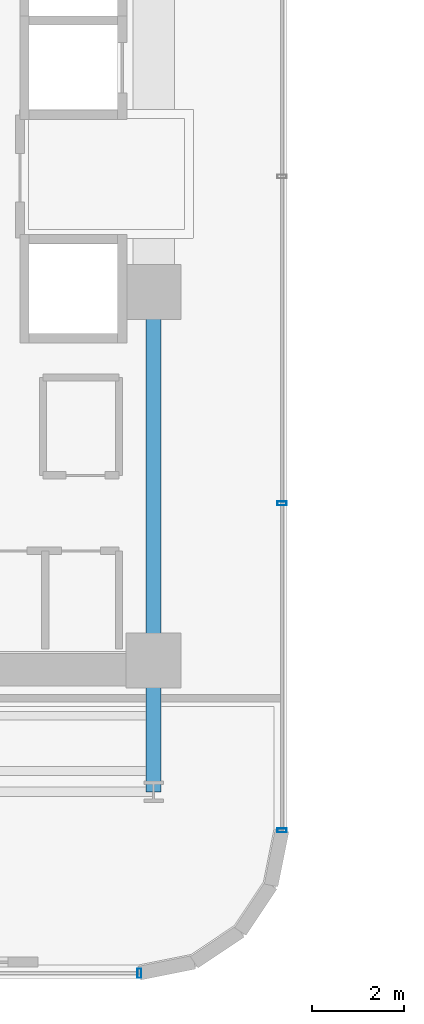
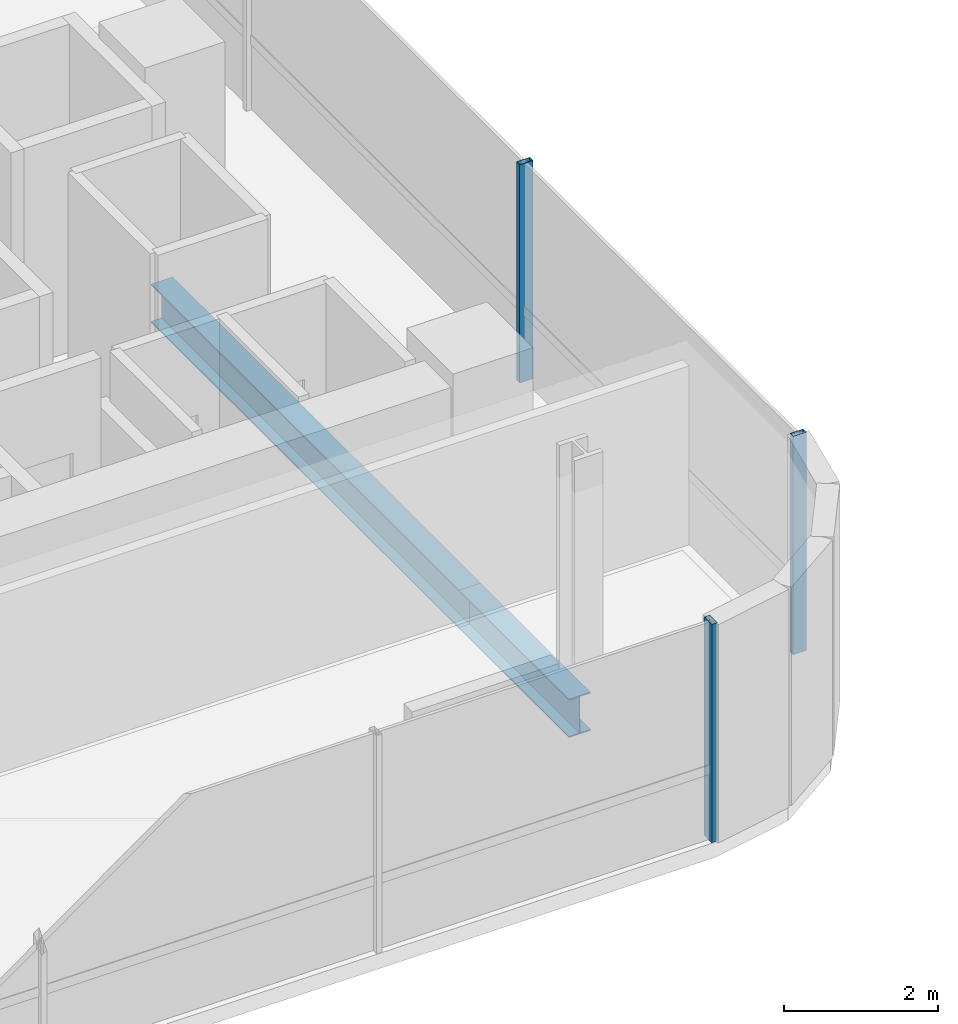
# One storey, part 6 of 35: 3 members, 2 beams, 2 elements without a shape of their own.
"""IFC4 building model written with IfcOpenShell, lengths in metres."""

from ifc_helpers import new_model, si_unit, direction, frame, origin, origin_2d, place, context, subcontext, project, spatial, hollow_rectangle, i_section, extrude, source, transform, mapped, material, material_profile, profile_set, type_object, element, aggregate, save


model = new_model("IFC4")

# Units and contexts
model_context = context("Model", 3, precision=1e-05, world=origin(), true_north=direction((0.0, 1.0)))
body_context = subcontext(model_context, "Body", "Model", "MODEL_VIEW")
ifc_project = project(units=[si_unit("LENGTHUNIT", "METRE"), si_unit("AREAUNIT", "SQUARE_METRE"), si_unit("VOLUMEUNIT", "CUBIC_METRE"), si_unit("PLANEANGLEUNIT", "RADIAN"), si_unit("MASSUNIT", "GRAM", prefix="KILO")], contexts=[model_context])

# Site, building, storey
site_placement = place(None, origin())
site = spatial("IfcSite", under=ifc_project, at=site_placement, CompositionType="ELEMENT")
building_placement = place(site_placement, origin())
building = spatial("IfcBuilding", under=site, at=building_placement, Name="Valdorenza Pilgrim Sanctuary Tower", CompositionType="ELEMENT")
storey_placement = place(building_placement, frame((0.0, 0.0, 124.199951171875)))
storey = spatial("IfcBuildingStorey", under=building, at=storey_placement, Name="L31", CompositionType="ELEMENT", Elevation=124.199951171875)

# Beams
ifc_material_1 = material(Name="Steel ASTM A992 Grade 50", Category="steel")
ifc_material_profile_1 = material_profile(ifc_material_1, i_section(OverallWidth=0.323974609375, OverallDepth=0.611083984375, WebThickness=0.0126953125, FlangeThickness=0.01904296875, at=origin_2d()), Name="W24X104")
ifc_profile_set_1 = profile_set([ifc_material_profile_1], Name="Steel ASTM A992 Grade 50")
beam_type = type_object("IfcBeamType", Name="STR-BM-GRD-W24B", PredefinedType="BEAM", material=ifc_profile_set_1)
shared_shape_1 = source(origin(), body_context, "Body", "SweptSolid", [
    extrude(i_section(OverallWidth=0.323974609375, OverallDepth=0.611083984375, WebThickness=0.0126953125, FlangeThickness=0.01904296875, at=origin_2d()), origin(), (0.0, 0.0, 1.0), 8.0),
])
beam_1_placement = place(storey_placement, frame((-12.39990234375, -10.60009765625, -0.54541015625), z_axis=(0.0, 1.0, 0.0), x_axis=(-1.0, 0.0, 0.0)))
element("IfcBeam", 1, at=beam_1_placement, inside=storey, type_object=beam_type, Name="L31 Core Tie Girder CA-E-S1M0", PredefinedType="BEAM", context=body_context, shape_type="MappedRepresentation", body=[
    mapped(shared_shape_1, transform((0.0, 0.0, 0.0), x_axis=(1.0, 0.0, 0.0), y_axis=(0.0, 1.0, 0.0), z_axis=(0.0, 0.0, 1.0), scale=1.0)),
])
shared_shape_2 = source(origin(), body_context, "Body", "SweptSolid", [
    extrude(i_section(OverallWidth=0.323974609375, OverallDepth=0.611083984375, WebThickness=0.0126953125, FlangeThickness=0.01904296875, at=origin_2d()), origin(), (0.0, 0.0, 1.0), 2.849853515625),
])
beam_2_placement = place(storey_placement, frame((-12.39990234375, -13.449951171875, -0.54541015625), z_axis=(0.0, 1.0, 0.0), x_axis=(-1.0, 0.0, 0.0)))
element("IfcBeam", 2, at=beam_2_placement, inside=storey, type_object=beam_type, Name="L31 Floor Girder WA-S-LE", PredefinedType="BEAM", context=body_context, shape_type="MappedRepresentation", body=[
    mapped(shared_shape_2, transform((0.0, 0.0, 0.0), x_axis=(1.0, 0.0, 0.0), y_axis=(0.0, 1.0, 0.0), z_axis=(0.0, 0.0, 1.0), scale=1.0)),
])

# Curtain wall, members
ifc_material_2 = material(Name="Curtain-wall IGU glazing", Category="glass")
curtain_wall_type = type_object("IfcCurtainWallType", Name="CW-SYS-02", PredefinedType="NOTDEFINED", material=ifc_material_2)
curtain_wall_1_placement = place(storey_placement, origin())
curtain_wall_1 = element("IfcCurtainWall", 3, at=curtain_wall_1_placement, inside=storey, type_object=curtain_wall_type, Name="L31 Curtain Wall CW-L31-1-41", PredefinedType="NOTDEFINED")
ifc_material_3 = material(Name="Anodised aluminium AW-6060", Category="aluminium")
ifc_material_profile_2 = material_profile(ifc_material_3, hollow_rectangle(XDim=0.0849609375, YDim=0.199951171875, WallThickness=0.0048828125, at=origin_2d()), Name="ALU-M 200x85x5")
ifc_profile_set_2 = profile_set([ifc_material_profile_2], Name="Anodised aluminium AW-6060")
member_type = type_object("IfcMemberType", Name="CW-MUL-02", PredefinedType="MULLION", material=ifc_profile_set_2)
shared_shape_3 = source(origin(), body_context, "Body", "SweptSolid", [
    extrude(hollow_rectangle(XDim=0.0849609375, YDim=0.199951171875, WallThickness=0.0048828125, at=origin_2d()), origin(), (0.0, 0.0, 1.0), 3.4599609375),
])
member_1_placement = place(storey_placement, frame((-9.610107421875, -7.189208984375, 0.0), z_axis=(0.0, 0.0, 1.0), x_axis=(0.0, -1.0, 0.0)))
member_1 = element("IfcMember", 4, at=member_1_placement, type_object=member_type, Name="CW-L31-1-41 Mullion 3", PredefinedType="MULLION", context=body_context, shape_type="MappedRepresentation", body=[
    mapped(shared_shape_3, transform((0.0, 0.0, 0.0), x_axis=(1.0, 0.0, 0.0), y_axis=(0.0, 1.0, 0.0), z_axis=(0.0, 0.0, 1.0), scale=1.0)),
])
member_2_placement = place(storey_placement, frame((-9.610107421875, -14.289306640625, 0.0), z_axis=(0.0, 0.0, 1.0), x_axis=(0.0, -1.0, 0.0)))
member_2 = element("IfcMember", 5, at=member_2_placement, type_object=member_type, Name="CW-L31-1-41 Mullion 4", PredefinedType="MULLION", context=body_context, shape_type="MappedRepresentation", body=[
    mapped(shared_shape_3, transform((0.0, 0.0, 0.0), x_axis=(1.0, 0.0, 0.0), y_axis=(0.0, 1.0, 0.0), z_axis=(0.0, 0.0, 1.0), scale=1.0)),
])
aggregate(curtain_wall_1, [member_1, member_2])

# Curtain wall, member
curtain_wall_2_placement = place(storey_placement, origin())
curtain_wall_2 = element("IfcCurtainWall", 6, at=curtain_wall_2_placement, inside=storey, type_object=curtain_wall_type, Name="L31 Curtain Wall CW-L31-1-46", PredefinedType="NOTDEFINED")
member_3_placement = place(storey_placement, frame((-12.710693359375, -17.389892578125, 0.0), z_axis=(0.0, 0.0, 1.0), x_axis=(-1.0, 0.0, 0.0)))
member_3 = element("IfcMember", 7, at=member_3_placement, type_object=member_type, Name="CW-L31-1-46 Mullion 1", PredefinedType="MULLION", context=body_context, shape_type="MappedRepresentation", body=[
    mapped(shared_shape_3, transform((0.0, 0.0, 0.0), x_axis=(1.0, 0.0, 0.0), y_axis=(0.0, 1.0, 0.0), z_axis=(0.0, 0.0, 1.0), scale=1.0)),
])
aggregate(curtain_wall_2, [member_3])

save(model, "model.ifc")
